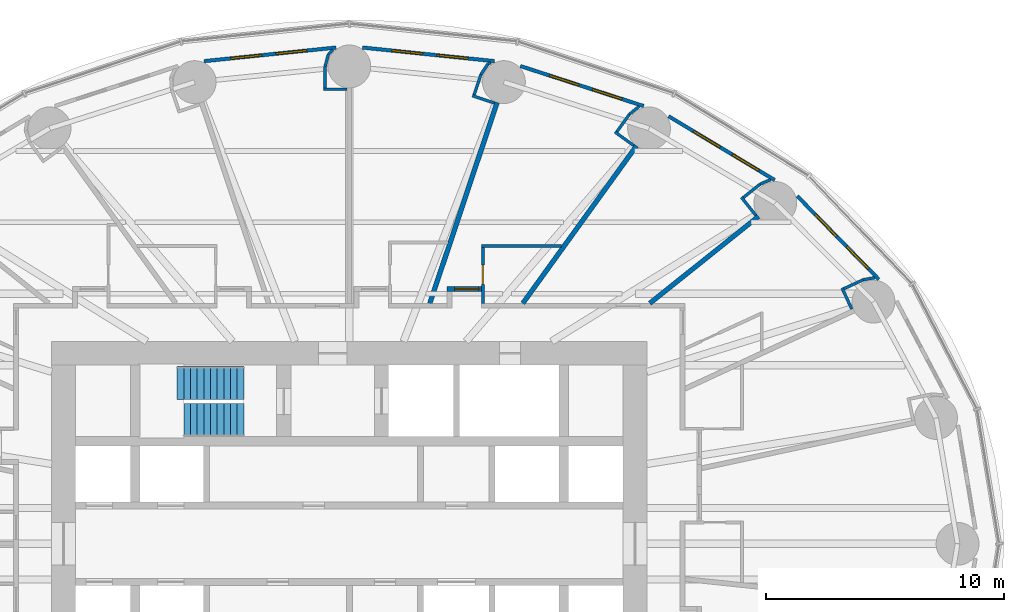
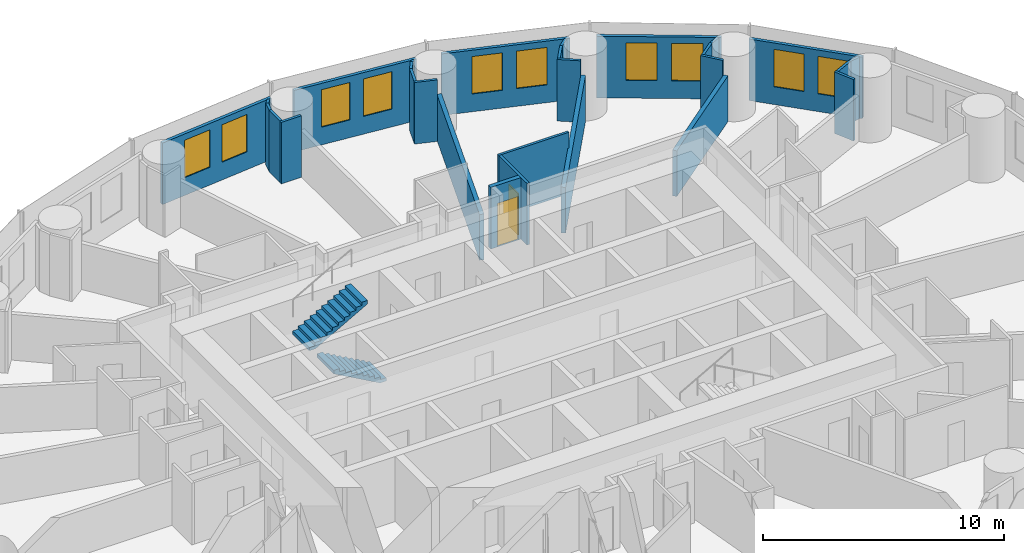
# One storey, part 12 of 14: 28 walls, 10 windows, 2 doors, 2 stair flights, 12 openings, 1 element without a shape of its own.
"""IFC4 building model written with IfcOpenShell, lengths in metres."""

from ifc_helpers import new_model, si_unit, direction, frame, frame_2d, origin, place, context, subcontext, project, spatial, polyline, rectangle, outline, extrude, material, layer, layer_set, type_object, element, fill, aggregate, save


model = new_model("IFC4")

# Units and contexts
model_context = context("Model", 3, precision=1e-05, world=origin(), true_north=direction((0.0, 1.0)))
body_context = subcontext(model_context, "Body", "Model", "MODEL_VIEW")
ifc_project = project(units=[si_unit("LENGTHUNIT", "METRE"), si_unit("AREAUNIT", "SQUARE_METRE"), si_unit("VOLUMEUNIT", "CUBIC_METRE"), si_unit("PLANEANGLEUNIT", "RADIAN"), si_unit("MASSUNIT", "GRAM", prefix="KILO")], contexts=[model_context])

# Site, building, storey
site_placement = place(None, origin())
site = spatial("IfcSite", under=ifc_project, at=site_placement, CompositionType="ELEMENT")
building_placement = place(site_placement, origin())
building = spatial("IfcBuilding", under=site, at=building_placement, Name="Hankou Lantern Tower", CompositionType="ELEMENT")
storey_placement = place(building_placement, frame((0.0, 0.0, 32.699951171875)))
storey = spatial("IfcBuildingStorey", under=building, at=storey_placement, Name="L06", CompositionType="ELEMENT", Elevation=32.699951171875)

# Wall, openings, windows
ifc_material_1 = material(Name="Aluminium spandrel panel on steel studs", Category="steel")
ifc_layer_1 = layer(ifc_material_1, 0.14990234375)
ifc_layer_set_1 = layer_set([ifc_layer_1], Name="Aluminium spandrel panel on steel studs")
wall_type_1 = type_object("IfcWallType", Name="EW1 INNER SKIN WALL 150", PredefinedType="ELEMENTEDWALL", material=ifc_layer_set_1)
wall_1_placement = place(storey_placement, frame((22.23876953125, 11.1083984375, 0.0), z_axis=(0.0, 0.0, 1.0), x_axis=(-0.699612594083, 0.714522370679, 0.0)))
wall_1 = element("IfcWall", 1, at=wall_1_placement, inside=storey, type_object=wall_type_1, Name="Inner skin R03-R04 L06", PredefinedType="ELEMENTEDWALL", context=body_context, shape_type="SweptSolid", body=[
    extrude(rectangle(XDim=4.89599609375, YDim=0.14990234375, at=frame_2d((2.447998046875, 0.0))), origin(), (0.0, 0.0, 1.0), 3.1201171875),
])
opening_1_placement = place(wall_1_placement, frame((0.619140625, 0.0, 0.89990234375)))
opening_1 = element("IfcOpeningElement", 2, at=opening_1_placement, cuts=wall_1, Name="Opening W9", PredefinedType="OPENING", context=body_context, shape_type="SweptSolid", body=[
    extrude(rectangle(XDim=1.300048828125, YDim=1.89990234375, at=frame_2d((0.64990234375, 0.949951171875))), frame((0.0, 0.0849609375, 0.0), z_axis=(0.0, -1.0, 0.0), x_axis=(1.0, 0.0, 0.0)), (0.0, 0.0, 1.0), 0.169921875),
])
opening_2_placement = place(wall_1_placement, frame((2.51904296875, 0.0, 0.89990234375)))
opening_2 = element("IfcOpeningElement", 3, at=opening_2_placement, cuts=wall_1, Name="Opening W9", PredefinedType="OPENING", context=body_context, shape_type="SweptSolid", body=[
    extrude(rectangle(XDim=1.300048828125, YDim=1.89990234375, at=frame_2d((0.64990234375, 0.949951171875))), frame((0.0, 0.0849609375, 0.0), z_axis=(0.0, -1.0, 0.0), x_axis=(1.0, 0.0, 0.0)), (0.0, 0.0, 1.0), 0.169921875),
])
ifc_material_2 = material(Name="Aluminium framed double glazed window", Category="aluminium")
window_type = type_object("IfcWindowType", Name="W9 GUEST ROOM WINDOW 1300X1900", PartitioningType="DOUBLE_PANEL_VERTICAL", PredefinedType="WINDOW", material=ifc_material_2)
window_1_placement = place(opening_1_placement, origin())
window_1 = element("IfcWindow", 4, at=window_1_placement, inside=storey, type_object=window_type, Name="Window R03.1 L06", OverallHeight=1.89990234375, OverallWidth=1.300048828125, PartitioningType="SINGLE_PANEL", PredefinedType="WINDOW", context=body_context, shape_type="SweptSolid", body=[
    extrude(rectangle(XDim=1.300048828125, YDim=1.89990234375, at=frame_2d((0.64990234375, 0.949951171875))), frame((0.0, 0.030029296875, 0.0), z_axis=(0.0, -1.0, 0.0), x_axis=(1.0, 0.0, 0.0)), (0.0, 0.0, 1.0), 0.06005859375),
])
fill(opening_1, window_1)
window_2_placement = place(opening_2_placement, origin())
window_2 = element("IfcWindow", 5, at=window_2_placement, inside=storey, type_object=window_type, Name="Window R03.2 L06", OverallHeight=1.89990234375, OverallWidth=1.300048828125, PartitioningType="SINGLE_PANEL", PredefinedType="WINDOW", context=body_context, shape_type="SweptSolid", body=[
    extrude(rectangle(XDim=1.300048828125, YDim=1.89990234375, at=frame_2d((0.64990234375, 0.949951171875))), frame((0.0, 0.030029296875, 0.0), z_axis=(0.0, -1.0, 0.0), x_axis=(1.0, 0.0, 0.0)), (0.0, 0.0, 1.0), 0.06005859375),
])
fill(opening_2, window_2)

wall_2_placement = place(storey_placement, frame((17.869384765625, 15.276611328125, 0.0), z_axis=(0.0, 0.0, 1.0), x_axis=(-0.856958191554, 0.515385931054, 0.0)))
wall_2 = element("IfcWall", 6, at=wall_2_placement, inside=storey, type_object=wall_type_1, Name="Inner skin R04-R05 L06", PredefinedType="ELEMENTEDWALL", context=body_context, shape_type="SweptSolid", body=[
    extrude(rectangle(XDim=5.201171875, YDim=0.14990234375, at=frame_2d((2.6005859375, 0.0))), origin(), (0.0, 0.0, 1.0), 3.1201171875),
])
opening_3_placement = place(wall_2_placement, frame((0.7763671875, 0.0, 0.89990234375)))
opening_3 = element("IfcOpeningElement", 7, at=opening_3_placement, cuts=wall_2, Name="Opening W9", PredefinedType="OPENING", context=body_context, shape_type="SweptSolid", body=[
    extrude(rectangle(XDim=1.300048828125, YDim=1.89990234375, at=frame_2d((0.64990234375, 0.949951171875))), frame((0.0, 0.0849609375, 0.0), z_axis=(0.0, -1.0, 0.0), x_axis=(1.0, 0.0, 0.0)), (0.0, 0.0, 1.0), 0.169921875),
])
opening_4_placement = place(wall_2_placement, frame((2.67626953125, 0.0, 0.89990234375)))
opening_4 = element("IfcOpeningElement", 8, at=opening_4_placement, cuts=wall_2, Name="Opening W9", PredefinedType="OPENING", context=body_context, shape_type="SweptSolid", body=[
    extrude(rectangle(XDim=1.300048828125, YDim=1.89990234375, at=frame_2d((0.64990234375, 0.949951171875))), frame((0.0, 0.0849609375, 0.0), z_axis=(0.0, -1.0, 0.0), x_axis=(1.0, 0.0, 0.0)), (0.0, 0.0, 1.0), 0.169921875),
])
window_3_placement = place(opening_3_placement, origin())
window_3 = element("IfcWindow", 9, at=window_3_placement, inside=storey, type_object=window_type, Name="Window R04.1 L06", OverallHeight=1.89990234375, OverallWidth=1.300048828125, PartitioningType="SINGLE_PANEL", PredefinedType="WINDOW", context=body_context, shape_type="SweptSolid", body=[
    extrude(rectangle(XDim=1.300048828125, YDim=1.89990234375, at=frame_2d((0.64990234375, 0.949951171875))), frame((0.0, 0.030029296875, 0.0), z_axis=(0.0, -1.0, 0.0), x_axis=(1.0, 0.0, 0.0)), (0.0, 0.0, 1.0), 0.06005859375),
])
fill(opening_3, window_3)
window_4_placement = place(opening_4_placement, origin())
window_4 = element("IfcWindow", 10, at=window_4_placement, inside=storey, type_object=window_type, Name="Window R04.2 L06", OverallHeight=1.89990234375, OverallWidth=1.300048828125, PartitioningType="SINGLE_PANEL", PredefinedType="WINDOW", context=body_context, shape_type="SweptSolid", body=[
    extrude(rectangle(XDim=1.300048828125, YDim=1.89990234375, at=frame_2d((0.64990234375, 0.949951171875))), frame((0.0, 0.030029296875, 0.0), z_axis=(0.0, -1.0, 0.0), x_axis=(1.0, 0.0, 0.0)), (0.0, 0.0, 1.0), 0.06005859375),
])
fill(opening_4, window_4)

wall_3_placement = place(storey_placement, frame((12.3662109375, 18.384033203125, 0.0), z_axis=(0.0, 0.0, 1.0), x_axis=(-0.951138486029, 0.308764603532, 0.0)))
wall_3 = element("IfcWall", 11, at=wall_3_placement, inside=storey, type_object=wall_type_1, Name="Inner skin R05-R06 L06", PredefinedType="ELEMENTEDWALL", context=body_context, shape_type="SweptSolid", body=[
    extrude(rectangle(XDim=5.444091796875, YDim=0.14990234375, at=frame_2d((2.72216796875, 0.0))), origin(), (0.0, 0.0, 1.0), 3.1201171875),
])
opening_5_placement = place(wall_3_placement, frame((0.959716796875, 0.0, 0.89990234375)))
opening_5 = element("IfcOpeningElement", 12, at=opening_5_placement, cuts=wall_3, Name="Opening W9", PredefinedType="OPENING", context=body_context, shape_type="SweptSolid", body=[
    extrude(rectangle(XDim=1.300048828125, YDim=1.89990234375, at=frame_2d((0.64990234375, 0.949951171875))), frame((0.0, 0.0849609375, 0.0), z_axis=(0.0, -1.0, 0.0), x_axis=(1.0, 0.0, 0.0)), (0.0, 0.0, 1.0), 0.169921875),
])
opening_6_placement = place(wall_3_placement, frame((2.85986328125, 0.0, 0.89990234375)))
opening_6 = element("IfcOpeningElement", 13, at=opening_6_placement, cuts=wall_3, Name="Opening W9", PredefinedType="OPENING", context=body_context, shape_type="SweptSolid", body=[
    extrude(rectangle(XDim=1.300048828125, YDim=1.89990234375, at=frame_2d((0.64990234375, 0.949951171875))), frame((0.0, 0.0849609375, 0.0), z_axis=(0.0, -1.0, 0.0), x_axis=(1.0, 0.0, 0.0)), (0.0, 0.0, 1.0), 0.169921875),
])
window_5_placement = place(opening_5_placement, origin())
window_5 = element("IfcWindow", 14, at=window_5_placement, inside=storey, type_object=window_type, Name="Window R05.1 L06", OverallHeight=1.89990234375, OverallWidth=1.300048828125, PartitioningType="SINGLE_PANEL", PredefinedType="WINDOW", context=body_context, shape_type="SweptSolid", body=[
    extrude(rectangle(XDim=1.300048828125, YDim=1.89990234375, at=frame_2d((0.64990234375, 0.949951171875))), frame((0.0, 0.030029296875, 0.0), z_axis=(0.0, -1.0, 0.0), x_axis=(1.0, 0.0, 0.0)), (0.0, 0.0, 1.0), 0.06005859375),
])
fill(opening_5, window_5)
window_6_placement = place(opening_6_placement, origin())
window_6 = element("IfcWindow", 15, at=window_6_placement, inside=storey, type_object=window_type, Name="Window R05.2 L06", OverallHeight=1.89990234375, OverallWidth=1.300048828125, PartitioningType="SINGLE_PANEL", PredefinedType="WINDOW", context=body_context, shape_type="SweptSolid", body=[
    extrude(rectangle(XDim=1.300048828125, YDim=1.89990234375, at=frame_2d((0.64990234375, 0.949951171875))), frame((0.0, 0.030029296875, 0.0), z_axis=(0.0, -1.0, 0.0), x_axis=(1.0, 0.0, 0.0)), (0.0, 0.0, 1.0), 0.06005859375),
])
fill(opening_6, window_6)

wall_4_placement = place(storey_placement, frame((6.09765625, 20.27099609375, 0.0), z_axis=(0.0, 0.0, 1.0), x_axis=(-0.994723735084, 0.102589915983, 0.0)))
wall_4 = element("IfcWall", 16, at=wall_4_placement, inside=storey, type_object=wall_type_1, Name="Inner skin R06-R07 L06", PredefinedType="ELEMENTEDWALL", context=body_context, shape_type="SweptSolid", body=[
    extrude(rectangle(XDim=5.575927734375, YDim=0.14990234375, at=frame_2d((2.7880859375, 0.0))), origin(), (0.0, 0.0, 1.0), 3.1201171875),
])
opening_7_placement = place(wall_4_placement, frame((1.128662109375, 0.0, 0.89990234375)))
opening_7 = element("IfcOpeningElement", 17, at=opening_7_placement, cuts=wall_4, Name="Opening W9", PredefinedType="OPENING", context=body_context, shape_type="SweptSolid", body=[
    extrude(rectangle(XDim=1.300048828125, YDim=1.89990234375, at=frame_2d((0.64990234375, 0.949951171875))), frame((0.0, 0.0849609375, 0.0), z_axis=(0.0, -1.0, 0.0), x_axis=(1.0, 0.0, 0.0)), (0.0, 0.0, 1.0), 0.169921875),
])
opening_8_placement = place(wall_4_placement, frame((3.02880859375, 0.0, 0.89990234375)))
opening_8 = element("IfcOpeningElement", 18, at=opening_8_placement, cuts=wall_4, Name="Opening W9", PredefinedType="OPENING", context=body_context, shape_type="SweptSolid", body=[
    extrude(rectangle(XDim=1.300048828125, YDim=1.89990234375, at=frame_2d((0.64990234375, 0.949951171875))), frame((0.0, 0.0849609375, 0.0), z_axis=(0.0, -1.0, 0.0), x_axis=(1.0, 0.0, 0.0)), (0.0, 0.0, 1.0), 0.169921875),
])
window_7_placement = place(opening_7_placement, origin())
window_7 = element("IfcWindow", 19, at=window_7_placement, inside=storey, type_object=window_type, Name="Window R06.1 L06", OverallHeight=1.89990234375, OverallWidth=1.300048828125, PartitioningType="SINGLE_PANEL", PredefinedType="WINDOW", context=body_context, shape_type="SweptSolid", body=[
    extrude(rectangle(XDim=1.300048828125, YDim=1.89990234375, at=frame_2d((0.64990234375, 0.949951171875))), frame((0.0, 0.030029296875, 0.0), z_axis=(0.0, -1.0, 0.0), x_axis=(1.0, 0.0, 0.0)), (0.0, 0.0, 1.0), 0.06005859375),
])
fill(opening_7, window_7)
window_8_placement = place(opening_8_placement, origin())
window_8 = element("IfcWindow", 20, at=window_8_placement, inside=storey, type_object=window_type, Name="Window R06.2 L06", OverallHeight=1.89990234375, OverallWidth=1.300048828125, PartitioningType="SINGLE_PANEL", PredefinedType="WINDOW", context=body_context, shape_type="SweptSolid", body=[
    extrude(rectangle(XDim=1.300048828125, YDim=1.89990234375, at=frame_2d((0.64990234375, 0.949951171875))), frame((0.0, 0.030029296875, 0.0), z_axis=(0.0, -1.0, 0.0), x_axis=(1.0, 0.0, 0.0)), (0.0, 0.0, 1.0), 0.06005859375),
])
fill(opening_8, window_8)

wall_5_placement = place(storey_placement, frame((-0.55126953125, 20.843017578125, 0.0), z_axis=(0.0, 0.0, 1.0), x_axis=(-0.994723735084, -0.102589915983, 0.0)))
wall_5 = element("IfcWall", 21, at=wall_5_placement, inside=storey, type_object=wall_type_1, Name="Inner skin R07-R08 L06", PredefinedType="ELEMENTEDWALL", context=body_context, shape_type="SweptSolid", body=[
    extrude(rectangle(XDim=5.575927734375, YDim=0.14990234375, at=frame_2d((2.7880859375, 0.0))), origin(), (0.0, 0.0, 1.0), 3.1201171875),
])
opening_9_placement = place(wall_5_placement, frame((1.246826171875, 0.0, 0.89990234375)))
opening_9 = element("IfcOpeningElement", 22, at=opening_9_placement, cuts=wall_5, Name="Opening W9", PredefinedType="OPENING", context=body_context, shape_type="SweptSolid", body=[
    extrude(rectangle(XDim=1.300048828125, YDim=1.89990234375, at=frame_2d((0.64990234375, 0.949951171875))), frame((0.0, 0.0849609375, 0.0), z_axis=(0.0, -1.0, 0.0), x_axis=(1.0, 0.0, 0.0)), (0.0, 0.0, 1.0), 0.169921875),
])
opening_10_placement = place(wall_5_placement, frame((3.146728515625, 0.0, 0.89990234375)))
opening_10 = element("IfcOpeningElement", 23, at=opening_10_placement, cuts=wall_5, Name="Opening W9", PredefinedType="OPENING", context=body_context, shape_type="SweptSolid", body=[
    extrude(rectangle(XDim=1.300048828125, YDim=1.89990234375, at=frame_2d((0.64990234375, 0.949951171875))), frame((0.0, 0.0849609375, 0.0), z_axis=(0.0, -1.0, 0.0), x_axis=(1.0, 0.0, 0.0)), (0.0, 0.0, 1.0), 0.169921875),
])
window_9_placement = place(opening_9_placement, origin())
window_9 = element("IfcWindow", 24, at=window_9_placement, inside=storey, type_object=window_type, Name="Window R07.1 L06", OverallHeight=1.89990234375, OverallWidth=1.300048828125, PartitioningType="SINGLE_PANEL", PredefinedType="WINDOW", context=body_context, shape_type="SweptSolid", body=[
    extrude(rectangle(XDim=1.300048828125, YDim=1.89990234375, at=frame_2d((0.64990234375, 0.949951171875))), frame((0.0, 0.030029296875, 0.0), z_axis=(0.0, -1.0, 0.0), x_axis=(1.0, 0.0, 0.0)), (0.0, 0.0, 1.0), 0.06005859375),
])
fill(opening_9, window_9)
window_10_placement = place(opening_10_placement, origin())
window_10 = element("IfcWindow", 25, at=window_10_placement, inside=storey, type_object=window_type, Name="Window R07.2 L06", OverallHeight=1.89990234375, OverallWidth=1.300048828125, PartitioningType="SINGLE_PANEL", PredefinedType="WINDOW", context=body_context, shape_type="SweptSolid", body=[
    extrude(rectangle(XDim=1.300048828125, YDim=1.89990234375, at=frame_2d((0.64990234375, 0.949951171875))), frame((0.0, 0.030029296875, 0.0), z_axis=(0.0, -1.0, 0.0), x_axis=(1.0, 0.0, 0.0)), (0.0, 0.0, 1.0), 0.06005859375),
])
fill(opening_10, window_10)

# Wall
ifc_material_3 = material(Name="Masonry lightweight concrete block", Category="masonry")
ifc_layer_2 = layer(ifc_material_3, 0.199951171875)
ifc_layer_set_2 = layer_set([ifc_layer_2], Name="Masonry lightweight concrete block")
wall_type_2 = type_object("IfcWallType", Name="IW1 GUEST ROOM PARTY WALL 200", PredefinedType="PARTITIONING", material=ifc_layer_set_2)
wall_6_placement = place(storey_placement, frame((3.3828125, 10.10009765625, 0.0), z_axis=(0.0, 0.0, 1.0), x_axis=(0.317593727596, 0.948226884344, 0.0)))
element("IfcWall", 26, at=wall_6_placement, inside=storey, type_object=wall_type_2, Name="Party wall R06", PredefinedType="PARTITIONING", context=body_context, shape_type="SweptSolid", body=[
    extrude(rectangle(XDim=8.898681640625, YDim=0.199951171875, at=frame_2d((4.44921875, 0.0))), origin(), (0.0, 0.0, 1.0), 2.320068359375),
])

# Wall, opening, door
ifc_material_4 = material(Name="Masonry lightweight concrete block", Category="masonry")
ifc_layer_3 = layer(ifc_material_4, 0.199951171875)
ifc_layer_set_3 = layer_set([ifc_layer_3], Name="Masonry lightweight concrete block")
wall_type_3 = type_object("IfcWallType", Name="IW2 CORRIDOR WALL 200", PredefinedType="PARTITIONING", material=ifc_layer_set_3)
wall_7_placement = place(storey_placement, frame((4.109130859375, 10.699951171875, 0.0), z_axis=(0.0, 0.0, 1.0), x_axis=(1.0, 0.0, 0.0)))
wall_7 = element("IfcWall", 27, at=wall_7_placement, inside=storey, type_object=wall_type_3, Name="Corridor recess wall 0607 back", PredefinedType="PARTITIONING", context=body_context, shape_type="SweptSolid", body=[
    extrude(rectangle(XDim=1.43994140625, YDim=0.199951171875, at=frame_2d((0.719970703125, 0.0))), origin(), (0.0, 0.0, 1.0), 3.1201171875),
])
opening_11_placement = place(wall_7_placement, frame((0.320068359375, 0.0, 0.0)))
opening_11 = element("IfcOpeningElement", 28, at=opening_11_placement, cuts=wall_7, Name="Opening D1", PredefinedType="OPENING", context=body_context, shape_type="SweptSolid", body=[
    extrude(rectangle(XDim=1.0, YDim=2.199951171875, at=frame_2d((0.5, 1.10009765625))), frame((0.0, 0.10986328125, 0.0), z_axis=(0.0, -1.0, 0.0), x_axis=(1.0, 0.0, 0.0)), (0.0, 0.0, 1.0), 0.219970703125),
])
ifc_material_5 = material(Name="Steel door leaf", Category="steel")
door_type_1 = type_object("IfcDoorType", Name="D1 GUEST ROOM DOOR 1000X2200", OperationType="SINGLE_SWING_LEFT", PredefinedType="DOOR", material=ifc_material_5)
door_1_placement = place(opening_11_placement, origin())
door_1 = element("IfcDoor", 29, at=door_1_placement, inside=storey, type_object=door_type_1, Name="Guest room door 0607", OperationType="SINGLE_SWING_RIGHT", OverallHeight=2.199951171875, OverallWidth=1.0, PredefinedType="DOOR", context=body_context, shape_type="SweptSolid", body=[
    extrude(rectangle(XDim=1.0, YDim=2.199951171875, at=frame_2d((0.5, 1.10009765625))), frame((0.0, 0.02490234375, 0.0), z_axis=(0.0, -1.0, 0.0), x_axis=(1.0, 0.0, 0.0)), (0.0, 0.0, 1.0), 0.050048828125),
])
fill(opening_11, door_1)

# Wall
ifc_material_6 = material(Name="Masonry lightweight concrete block", Category="masonry")
ifc_layer_4 = layer(ifc_material_6, 0.1201171875)
ifc_layer_set_4 = layer_set([ifc_layer_4], Name="Masonry lightweight concrete block")
wall_type_4 = type_object("IfcWallType", Name="IW3 BATHROOM WALL 120", PredefinedType="PARTITIONING", material=ifc_layer_set_4)
wall_8_placement = place(storey_placement, frame((8.921142578125, 12.5, 0.0), z_axis=(0.0, 0.0, 1.0), x_axis=(-1.0, 0.0, 0.0)))
element("IfcWall", 30, at=wall_8_placement, inside=storey, type_object=wall_type_4, Name="Box wall 0607 1", PredefinedType="PARTITIONING", context=body_context, shape_type="SweptSolid", body=[
    extrude(rectangle(XDim=3.3720703125, YDim=0.1201171875, at=frame_2d((1.68603515625, 0.0))), origin(), (0.0, 0.0, 1.0), 3.1201171875),
])

# Wall, opening, door
wall_9_placement = place(storey_placement, frame((5.609130859375, 10.10009765625, 0.0), z_axis=(0.0, 0.0, 1.0), x_axis=(0.0, 1.0, 0.0)))
wall_9 = element("IfcWall", 31, at=wall_9_placement, inside=storey, type_object=wall_type_4, Name="Box wall 0607 1", PredefinedType="PARTITIONING", context=body_context, shape_type="SweptSolid", body=[
    extrude(rectangle(XDim=2.33984375, YDim=0.1201171875, at=frame_2d((1.169921875, 0.0))), origin(), (0.0, 0.0, 1.0), 3.1201171875),
])
opening_12_placement = place(wall_9_placement, frame((0.800048828125, 0.0, 0.0)))
opening_12 = element("IfcOpeningElement", 32, at=opening_12_placement, cuts=wall_9, Name="Opening D3", PredefinedType="OPENING", context=body_context, shape_type="SweptSolid", body=[
    extrude(rectangle(XDim=0.800048828125, YDim=2.10009765625, at=frame_2d((0.39990234375, 1.050048828125))), frame((0.0, 0.070068359375, 0.0), z_axis=(0.0, -1.0, 0.0), x_axis=(1.0, 0.0, 0.0)), (0.0, 0.0, 1.0), 0.14013671875),
])
ifc_material_7 = material(Name="Timber door leaf", Category="wood")
door_type_2 = type_object("IfcDoorType", Name="D3 BATHROOM DOOR 800X2100", OperationType="SINGLE_SWING_LEFT", PredefinedType="DOOR", material=ifc_material_7)
door_2_placement = place(opening_12_placement, origin())
door_2 = element("IfcDoor", 33, at=door_2_placement, inside=storey, type_object=door_type_2, Name="En-suite bathroom 0607 door", OperationType="SINGLE_SWING_LEFT", OverallHeight=2.10009765625, OverallWidth=0.800048828125, PredefinedType="DOOR", context=body_context, shape_type="SweptSolid", body=[
    extrude(rectangle(XDim=0.800048828125, YDim=2.10009765625, at=frame_2d((0.39990234375, 1.050048828125))), frame((0.0, 0.02490234375, 0.0), z_axis=(0.0, -1.0, 0.0), x_axis=(1.0, 0.0, 0.0)), (0.0, 0.0, 1.0), 0.050048828125),
])
fill(opening_12, door_2)

# Walls
ifc_material_8 = material(Name="Masonry lightweight concrete block", Category="masonry")
ifc_layer_5 = layer(ifc_material_8, 0.1201171875)
ifc_layer_set_5 = layer_set([ifc_layer_5], Name="Masonry lightweight concrete block")
wall_type_5 = type_object("IfcWallType", Name="IW4 PARTITION 120", PredefinedType="PARTITIONING", material=ifc_layer_set_5)
wall_10_placement = place(storey_placement, frame((21.105712890625, 9.8583984375, 0.0), z_axis=(0.0, 0.0, 1.0), x_axis=(-0.419344098106, 0.907827366509, 0.0)))
element("IfcWall", 34, at=wall_10_placement, inside=storey, type_object=wall_type_5, Name="Column casing R03 return", PredefinedType="PARTITIONING", context=body_context, shape_type="SweptSolid", body=[
    extrude(rectangle(XDim=0.974609375, YDim=0.1201171875, at=frame_2d((0.4873046875, 0.0))), origin(), (0.0, 0.0, 1.0), 3.1201171875),
])
wall_11_placement = place(storey_placement, frame((20.776611328125, 10.7138671875, 0.0), z_axis=(0.0, 0.0, 1.0), x_axis=(0.907832324198, 0.419333365166, 0.0)))
element("IfcWall", 35, at=wall_11_placement, inside=storey, type_object=wall_type_5, Name="Column casing R03", PredefinedType="PARTITIONING", context=body_context, shape_type="SweptSolid", body=[
    extrude(rectangle(XDim=0.900146484375, YDim=0.1201171875, at=frame_2d((0.4501953125, 0.0))), origin(), (0.0, 0.0, 1.0), 3.1201171875),
])
wall_12_placement = place(storey_placement, frame((21.59375, 11.09130859375, 0.0), z_axis=(0.0, 0.0, 1.0), x_axis=(0.985483306792, 0.169772353566, 0.0)))
element("IfcWall", 36, at=wall_12_placement, inside=storey, type_object=wall_type_5, Name="Column casing R03", PredefinedType="PARTITIONING", context=body_context, shape_type="SweptSolid", body=[
    extrude(rectangle(XDim=0.486083984375, YDim=0.1201171875, at=frame_2d((0.2431640625, 0.0))), origin(), (0.0, 0.0, 1.0), 3.1201171875),
])
wall_13_placement = place(storey_placement, frame((17.07958984375, 13.791748046875, 0.0), z_axis=(0.0, 0.0, 1.0), x_axis=(-0.624756144097, 0.780819928289, 0.0)))
element("IfcWall", 37, at=wall_13_placement, inside=storey, type_object=wall_type_5, Name="Column casing R04 return", PredefinedType="PARTITIONING", context=body_context, shape_type="SweptSolid", body=[
    extrude(rectangle(XDim=0.974609375, YDim=0.1201171875, at=frame_2d((0.4873046875, 0.0))), origin(), (0.0, 0.0, 1.0), 3.1201171875),
])
wall_14_placement = place(storey_placement, frame((16.55517578125, 14.54345703125, 0.0), z_axis=(0.0, 0.0, 1.0), x_axis=(0.780789399477, 0.62479429708, 0.0)))
element("IfcWall", 38, at=wall_14_placement, inside=storey, type_object=wall_type_5, Name="Column casing R04", PredefinedType="PARTITIONING", context=body_context, shape_type="SweptSolid", body=[
    extrude(rectangle(XDim=0.89990234375, YDim=0.1201171875, at=frame_2d((0.449951171875, 0.0))), origin(), (0.0, 0.0, 1.0), 3.1201171875),
])
wall_15_placement = place(storey_placement, frame((17.2578125, 15.105712890625, 0.0), z_axis=(0.0, 0.0, 1.0), x_axis=(0.916098562583, 0.400953143937, 0.0)))
element("IfcWall", 39, at=wall_15_placement, inside=storey, type_object=wall_type_5, Name="Column casing R04", PredefinedType="PARTITIONING", context=body_context, shape_type="SweptSolid", body=[
    extrude(rectangle(XDim=0.476806640625, YDim=0.1201171875, at=frame_2d((0.23828125, 0.0))), origin(), (0.0, 0.0, 1.0), 3.1201171875),
])
wall_16_placement = place(storey_placement, frame((11.947998046875, 16.7265625, 0.0), z_axis=(0.0, 0.0, 1.0), x_axis=(-0.810897160646, 0.585188683123, 0.0)))
element("IfcWall", 40, at=wall_16_placement, inside=storey, type_object=wall_type_5, Name="Column casing R05 return", PredefinedType="PARTITIONING", context=body_context, shape_type="SweptSolid", body=[
    extrude(rectangle(XDim=0.974609375, YDim=0.1201171875, at=frame_2d((0.4873046875, 0.0))), origin(), (0.0, 0.0, 1.0), 3.1201171875),
])
wall_17_placement = place(storey_placement, frame((11.241455078125, 17.310302734375, 0.0), z_axis=(0.0, 0.0, 1.0), x_axis=(0.585054732094, 0.810993810367, 0.0)))
element("IfcWall", 41, at=wall_17_placement, inside=storey, type_object=wall_type_5, Name="Column casing R05", PredefinedType="PARTITIONING", context=body_context, shape_type="SweptSolid", body=[
    extrude(rectangle(XDim=0.900146484375, YDim=0.1201171875, at=frame_2d((0.4501953125, 0.0))), origin(), (0.0, 0.0, 1.0), 3.1201171875),
])
wall_18_placement = place(storey_placement, frame((11.76806640625, 18.040283203125, 0.0), z_axis=(0.0, 0.0, 1.0), x_axis=(0.775268927517, 0.631631292787, 0.0)))
element("IfcWall", 42, at=wall_18_placement, inside=storey, type_object=wall_type_5, Name="Column casing R05", PredefinedType="PARTITIONING", context=body_context, shape_type="SweptSolid", body=[
    extrude(rectangle(XDim=0.521728515625, YDim=0.1201171875, at=frame_2d((0.2607421875, 0.0))), origin(), (0.0, 0.0, 1.0), 3.1201171875),
])
wall_19_placement = place(storey_placement, frame((6.09521484375, 18.512939453125, 0.0), z_axis=(0.0, 0.0, 1.0), x_axis=(-0.948281677008, 0.317430088446, 0.0)))
element("IfcWall", 43, at=wall_19_placement, inside=storey, type_object=wall_type_5, Name="Column casing R06 return", PredefinedType="PARTITIONING", context=body_context, shape_type="SweptSolid", body=[
    extrude(rectangle(XDim=0.974365234375, YDim=0.1201171875, at=frame_2d((0.4873046875, 0.0))), origin(), (0.0, 0.0, 1.0), 3.1201171875),
])
wall_20_placement = place(storey_placement, frame((5.2470703125, 18.860107421875, 0.0), z_axis=(0.0, 0.0, 1.0), x_axis=(0.317610704489, 0.94822119803, 0.0)))
element("IfcWall", 44, at=wall_20_placement, inside=storey, type_object=wall_type_5, Name="Column casing R06", PredefinedType="PARTITIONING", context=body_context, shape_type="SweptSolid", body=[
    extrude(rectangle(XDim=0.900146484375, YDim=0.1201171875, at=frame_2d((0.4501953125, 0.0))), origin(), (0.0, 0.0, 1.0), 3.1201171875),
])
wall_21_placement = place(storey_placement, frame((5.532958984375, 19.713623046875, 0.0), z_axis=(0.0, 0.0, 1.0), x_axis=(0.552014331743, 0.833834622422, 0.0)))
element("IfcWall", 45, at=wall_21_placement, inside=storey, type_object=wall_type_5, Name="Column casing R06", PredefinedType="PARTITIONING", context=body_context, shape_type="SweptSolid", body=[
    extrude(rectangle(XDim=0.52490234375, YDim=0.1201171875, at=frame_2d((0.262451171875, 0.0))), origin(), (0.0, 0.0, 1.0), 3.1201171875),
])
wall_22_placement = place(storey_placement, frame((5.82275390625, 20.1513671875, 0.0), z_axis=(0.0, 0.0, 1.0), x_axis=(0.894784104941, 0.446499054362, 0.0)))
element("IfcWall", 46, at=wall_22_placement, inside=storey, type_object=wall_type_5, Name="Column casing R06", PredefinedType="PARTITIONING", context=body_context, shape_type="SweptSolid", body=[
    extrude(rectangle(XDim=0.13671875, YDim=0.1201171875, at=frame_2d((0.068359375, 0.0))), origin(), (0.0, 0.0, 1.0), 3.1201171875),
])
wall_23_placement = place(storey_placement, frame((-0.10009765625, 19.090087890625, 0.0), z_axis=(0.0, 0.0, 1.0), x_axis=(-1.0, 0.0, 0.0)))
element("IfcWall", 47, at=wall_23_placement, inside=storey, type_object=wall_type_5, Name="Column casing R07 return", PredefinedType="PARTITIONING", context=body_context, shape_type="SweptSolid", body=[
    extrude(rectangle(XDim=0.974365234375, YDim=0.1201171875, at=frame_2d((0.4873046875, 0.0))), origin(), (0.0, 0.0, 1.0), 3.1201171875),
])
wall_24_placement = place(storey_placement, frame((-1.0146484375, 19.14990234375, 0.0), z_axis=(0.0, 0.0, 1.0), x_axis=(0.0, 1.0, 0.0)))
element("IfcWall", 48, at=wall_24_placement, inside=storey, type_object=wall_type_5, Name="Column casing R07", PredefinedType="PARTITIONING", context=body_context, shape_type="SweptSolid", body=[
    extrude(rectangle(XDim=0.900146484375, YDim=0.1201171875, at=frame_2d((0.4501953125, 0.0))), origin(), (0.0, 0.0, 1.0), 3.1201171875),
])
wall_25_placement = place(storey_placement, frame((-1.0146484375, 20.050048828125, 0.0), z_axis=(0.0, 0.0, 1.0), x_axis=(0.258906465625, 0.96590239779, 0.0)))
element("IfcWall", 49, at=wall_25_placement, inside=storey, type_object=wall_type_5, Name="Column casing R07", PredefinedType="PARTITIONING", context=body_context, shape_type="SweptSolid", body=[
    extrude(rectangle(XDim=0.525146484375, YDim=0.1201171875, at=frame_2d((0.2626953125, 0.0))), origin(), (0.0, 0.0, 1.0), 3.1201171875),
])
wall_26_placement = place(storey_placement, frame((-0.878662109375, 20.557373046875, 0.0), z_axis=(0.0, 0.0, 1.0), x_axis=(0.707106781187, 0.707106781187, 0.0)))
element("IfcWall", 50, at=wall_26_placement, inside=storey, type_object=wall_type_5, Name="Column casing R07", PredefinedType="PARTITIONING", context=body_context, shape_type="SweptSolid", body=[
    extrude(rectangle(XDim=0.279052734375, YDim=0.1201171875, at=frame_2d((0.1396484375, 0.0))), origin(), (0.0, 0.0, 1.0), 3.1201171875),
])
ifc_material_9 = material(Name="Masonry lightweight concrete block", Category="masonry")
ifc_layer_6 = layer(ifc_material_9, 0.199951171875)
ifc_layer_set_6 = layer_set([ifc_layer_6], Name="Masonry lightweight concrete block")
wall_type_6 = type_object("IfcWallType", Name="IW8 PARTITION 200", PredefinedType="PARTITIONING", material=ifc_layer_set_6)
wall_27_placement = place(storey_placement, frame((12.625, 10.10009765625, 0.0), z_axis=(0.0, 0.0, 1.0), x_axis=(0.780872884676, 0.624689953479, 0.0)))
element("IfcWall", 51, at=wall_27_placement, inside=storey, type_object=wall_type_6, Name="Partition R04", PredefinedType="PARTITIONING", context=body_context, shape_type="SweptSolid", body=[
    extrude(rectangle(XDim=5.8447265625, YDim=0.199951171875, at=frame_2d((2.92236328125, 0.0))), origin(), (0.0, 0.0, 1.0), 2.320068359375),
])
wall_28_placement = place(storey_placement, frame((7.2890625, 10.10009765625, 0.0), z_axis=(0.0, 0.0, 1.0), x_axis=(0.585216319319, 0.810877216108, 0.0)))
element("IfcWall", 52, at=wall_28_placement, inside=storey, type_object=wall_type_6, Name="Partition R05", PredefinedType="PARTITIONING", context=body_context, shape_type="SweptSolid", body=[
    extrude(rectangle(XDim=8.15966796875, YDim=0.199951171875, at=frame_2d((4.079833984375, 0.0))), origin(), (0.0, 0.0, 1.0), 2.320068359375),
])

# Stair, stair flights
ifc_material_10 = material(Name="Concrete C40", Category="concrete")
stair_type = type_object("IfcStairType", Name="ST33 CORE STAIR 3300 RISE", PredefinedType="HALF_TURN_STAIR", material=ifc_material_10)
stair_placement = place(storey_placement, origin())
stair = element("IfcStair", 53, at=stair_placement, inside=storey, type_object=stair_type, Name="Stair STA L06", PredefinedType="HALF_TURN_STAIR")
ifc_material_11 = material(Name="Concrete C40", Category="concrete")
stair_flight_type_1 = type_object("IfcStairFlightType", Name="CF10 CORE STAIR FLIGHT 1400 X 10 RISERS", PredefinedType="STRAIGHT", material=ifc_material_11)
stair_flight_1_placement = place(storey_placement, frame((-4.429931640625, 5.199951171875, 0.0), z_axis=(0.0, 0.0, 1.0), x_axis=(-1.0, 0.0, 0.0)))
stair_flight_1 = element("IfcStairFlight", 54, at=stair_flight_1_placement, type_object=stair_flight_type_1, Name="STA flight 1", NumberOfRisers=10, NumberOfTreads=9, PredefinedType="STRAIGHT", RiserHeight=0.157142857, TreadLength=0.28, context=body_context, shape_type="SweptSolid", body=[
    extrude(outline(polyline([(0.0, 0.0), (0.0, 0.1572265625), (0.280029296875, 0.1572265625), (0.280029296875, 0.314208984375), (0.56005859375, 0.314208984375), (0.56005859375, 0.471435546875), (0.840087890625, 0.471435546875), (0.840087890625, 0.628662109375), (1.1201171875, 0.628662109375), (1.1201171875, 0.78564453125), (1.39990234375, 0.78564453125), (1.39990234375, 0.94287109375), (1.679931640625, 0.94287109375), (1.679931640625, 1.10009765625), (1.9599609375, 1.10009765625), (1.9599609375, 1.257080078125), (2.239990234375, 1.257080078125), (2.239990234375, 1.414306640625), (2.52001953125, 1.414306640625), (2.52001953125, 1.571533203125), (2.52001953125, 1.242431640625), (0.306396484375, 0.0), (0.0, 0.0)])), frame((0.0, 0.699951171875, 0.0), z_axis=(0.0, -1.0, 0.0), x_axis=(1.0, 0.0, 0.0)), (0.0, 0.0, 1.0), 1.39990234375),
])
ifc_material_12 = material(Name="Concrete C40", Category="concrete")
stair_flight_type_2 = type_object("IfcStairFlightType", Name="CF11 CORE STAIR FLIGHT 1400 X 11 RISERS", PredefinedType="STRAIGHT", material=ifc_material_12)
stair_flight_2_placement = place(storey_placement, frame((-7.22998046875, 6.75, 1.571533203125), z_axis=(0.0, 0.0, 1.0), x_axis=(1.0, 0.0, 0.0)))
stair_flight_2 = element("IfcStairFlight", 55, at=stair_flight_2_placement, type_object=stair_flight_type_2, Name="STA flight 2", NumberOfRisers=11, NumberOfTreads=10, PredefinedType="STRAIGHT", RiserHeight=0.157142857, TreadLength=0.28, context=body_context, shape_type="SweptSolid", body=[
    extrude(outline(polyline([(0.0, 0.0), (0.0, 0.1572265625), (0.280029296875, 0.1572265625), (0.280029296875, 0.314208984375), (0.56005859375, 0.314208984375), (0.56005859375, 0.471435546875), (0.840087890625, 0.471435546875), (0.840087890625, 0.628662109375), (1.1201171875, 0.628662109375), (1.1201171875, 0.78564453125), (1.39990234375, 0.78564453125), (1.39990234375, 0.94287109375), (1.679931640625, 0.94287109375), (1.679931640625, 1.10009765625), (1.9599609375, 1.10009765625), (1.9599609375, 1.257080078125), (2.239990234375, 1.257080078125), (2.239990234375, 1.414306640625), (2.52001953125, 1.414306640625), (2.52001953125, 1.571533203125), (2.800048828125, 1.571533203125), (2.800048828125, 1.728515625), (2.800048828125, 1.3994140625), (0.306396484375, 0.0), (0.0, 0.0)])), frame((0.0, 0.699951171875, 0.0), z_axis=(0.0, -1.0, 0.0), x_axis=(1.0, 0.0, 0.0)), (0.0, 0.0, 1.0), 1.39990234375),
])
aggregate(stair, [stair_flight_1, stair_flight_2])

save(model, "model.ifc")
